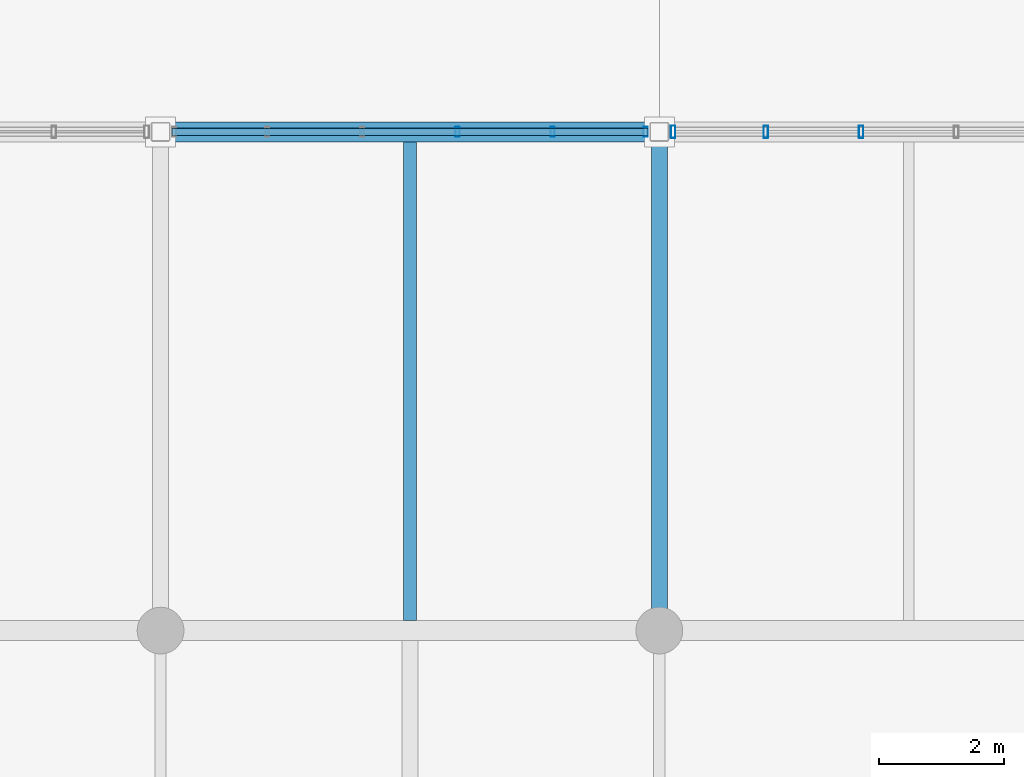
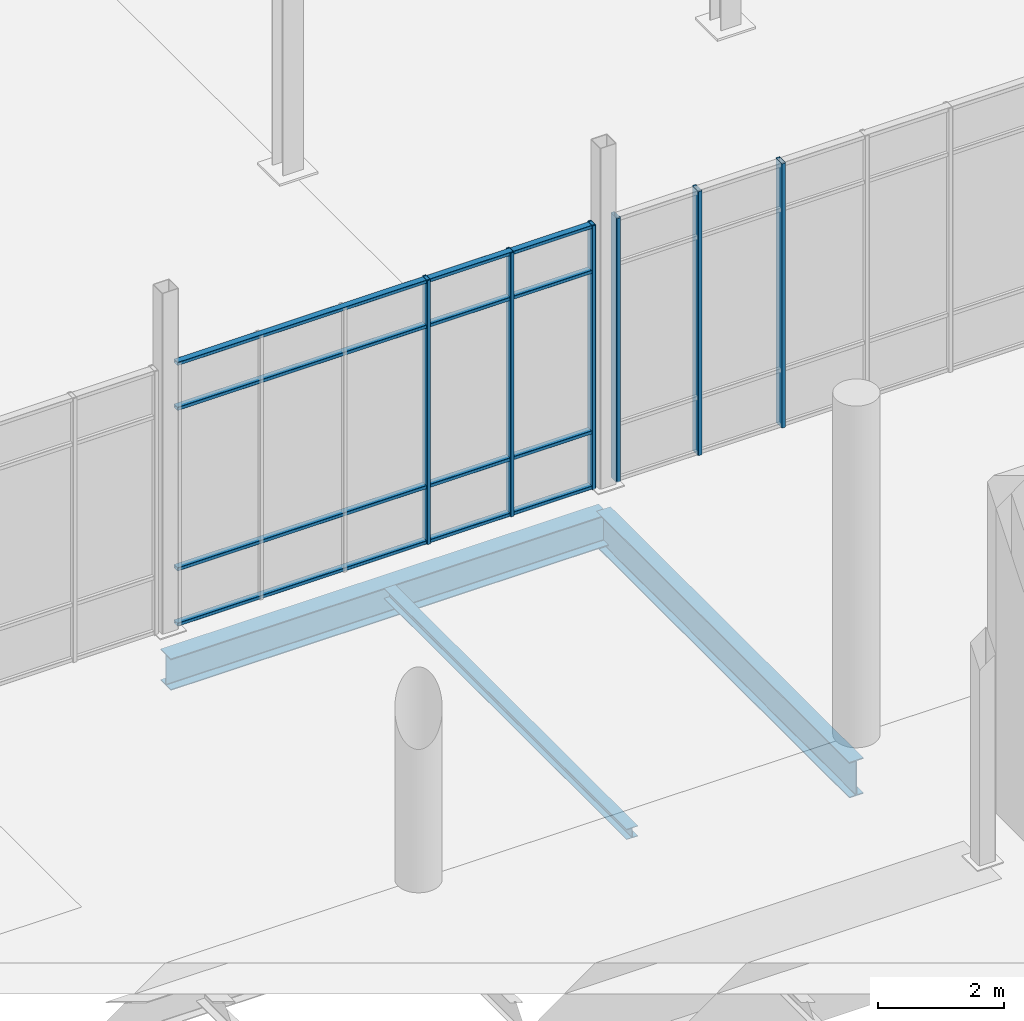
# One storey, part 47 of 140: 10 members, 3 beams, 2 elements without a shape of their own.
"""IFC4 building model written with IfcOpenShell, lengths in metres."""

from ifc_helpers import new_model, si_unit, direction, frame, origin, origin_2d, place, context, subcontext, project, spatial, hollow_rectangle, i_section, extrude, material, material_profile, profile_set, type_object, element, aggregate, save


model = new_model("IFC4")

# Units and contexts
model_context = context("Model", 3, precision=1e-05, world=origin(), true_north=direction((0.0, 1.0)))
body_context = subcontext(model_context, "Body", "Model", "MODEL_VIEW")
ifc_project = project(units=[si_unit("LENGTHUNIT", "METRE"), si_unit("AREAUNIT", "SQUARE_METRE"), si_unit("VOLUMEUNIT", "CUBIC_METRE"), si_unit("PLANEANGLEUNIT", "RADIAN"), si_unit("MASSUNIT", "GRAM", prefix="KILO")], contexts=[model_context])

# Site, building, storey
site_placement = place(None, origin())
site = spatial("IfcSite", under=ifc_project, at=site_placement, CompositionType="ELEMENT")
building_placement = place(site_placement, origin())
building = spatial("IfcBuilding", under=site, at=building_placement, Name="Verrall Gate Interchange", CompositionType="ELEMENT")
storey_placement = place(building_placement, origin())
storey = spatial("IfcBuildingStorey", under=building, at=storey_placement, Name="L01", CompositionType="ELEMENT", Elevation=0.0)

# Beams
ifc_material_1 = material(Name="Structural Steel CSA G40.21 350WT Cat 4", Category="steel")
ifc_material_profile_1 = material_profile(ifc_material_1, i_section(OverallWidth=0.256103515625, OverallDepth=0.693115234375, WebThickness=0.01318359375, FlangeThickness=0.02001953125, FilletRadius=0.01611328125, at=origin_2d()), Name="W690x170")
ifc_profile_set_1 = profile_set([ifc_material_profile_1], Name="Structural Steel CSA G40.21 350WT Cat 4")
beam_type_1 = type_object("IfcBeamType", Name="B-07 Structural Beam W690x170", PredefinedType="BEAM", material=ifc_profile_set_1)
beam_1_placement = place(storey_placement, frame((100.0, 48.0, -0.846435546875), z_axis=(0.0, 1.0, 0.0), x_axis=(-1.0, 0.0, 0.0)))
element("IfcBeam", 1, at=beam_1_placement, inside=storey, type_object=beam_type_1, Name="L01 Girder BM-L01-1167 (B-07)", PredefinedType="BEAM", context=body_context, shape_type="SweptSolid", body=[
    extrude(i_section(OverallWidth=0.256103515625, OverallDepth=0.693115234375, WebThickness=0.01318359375, FlangeThickness=0.02001953125, FilletRadius=0.01611328125, at=origin_2d()), origin(), (0.0, 0.0, 1.0), 8.0),
])
ifc_material_2 = material(Name="Structural Steel CSA G40.21 350WT Cat 4", Category="steel")
ifc_material_profile_2 = material_profile(ifc_material_2, i_section(OverallWidth=0.323974609375, OverallDepth=0.611083984375, WebThickness=0.0126953125, FlangeThickness=0.01904296875, FilletRadius=0.014892578125, at=origin_2d()), Name="W610x155")
ifc_profile_set_2 = profile_set([ifc_material_profile_2], Name="Structural Steel CSA G40.21 350WT Cat 4")
beam_type_2 = type_object("IfcBeamType", Name="B-08 Structural Beam W610x155", PredefinedType="BEAM", material=ifc_profile_set_2)
beam_2_placement = place(storey_placement, frame((92.0, 56.0, -0.805419921875), z_axis=(1.0, 0.0, 0.0), x_axis=(0.0, 1.0, 0.0)))
element("IfcBeam", 2, at=beam_2_placement, inside=storey, type_object=beam_type_2, Name="L01 Girder BM-L01-0946 (B-08)", PredefinedType="BEAM", context=body_context, shape_type="SweptSolid", body=[
    extrude(i_section(OverallWidth=0.323974609375, OverallDepth=0.611083984375, WebThickness=0.0126953125, FlangeThickness=0.01904296875, FilletRadius=0.014892578125, at=origin_2d()), origin(), (0.0, 0.0, 1.0), 8.0),
])

# Curtain wall, members
ifc_material_3 = material(Name="Thermally Broken Anodized Aluminium Curtain Wall Framing", Category="aluminium")
curtain_wall_type = type_object("IfcCurtainWallType", Name="CW-06 Unitized Curtain Wall 7631x5100", PredefinedType="NOTDEFINED", material=ifc_material_3)
curtain_wall_1_placement = place(storey_placement, origin())
curtain_wall_1 = element("IfcCurtainWall", 3, at=curtain_wall_1_placement, inside=storey, type_object=curtain_wall_type, Name="L01 Unitized Curtain Wall CW-L01-016", PredefinedType="NOTDEFINED")
ifc_material_4 = material(Name="Thermally Broken Anodized Aluminium Curtain Wall Framing", Category="aluminium")
ifc_material_profile_3 = material_profile(ifc_material_4, hollow_rectangle(XDim=0.06494140625, YDim=0.159912109375, WallThickness=0.00390625, InnerFilletRadius=0.00390625, OuterFilletRadius=0.008056640625, at=origin_2d()), Name="CWM160x65x4")
ifc_profile_set_3 = profile_set([ifc_material_profile_3], Name="Thermally Broken Anodized Aluminium Curtain Wall Framing")
member_type_1 = type_object("IfcMemberType", Name="CM-01 Curtain Mullion CWM160x65x4", PredefinedType="MULLION", material=ifc_profile_set_3)
member_1_placement = place(storey_placement, frame((99.782958984375, 56.0, 0.0), z_axis=(0.0, 0.0, 1.0), x_axis=(-1.0, 0.0, 0.0)))
member_1 = element("IfcMember", 4, at=member_1_placement, type_object=member_type_1, Name="CW-L01-016 Mullion 1", PredefinedType="MULLION", context=body_context, shape_type="SweptSolid", body=[
    extrude(hollow_rectangle(XDim=0.06494140625, YDim=0.159912109375, WallThickness=0.00390625, InnerFilletRadius=0.00390625, OuterFilletRadius=0.008056640625, at=origin_2d()), origin(), (0.0, 0.0, 1.0), 5.10009765625),
])
member_2_placement = place(storey_placement, frame((98.289306640625, 56.0, 0.0), z_axis=(0.0, 0.0, 1.0), x_axis=(-1.0, 0.0, 0.0)))
member_2 = element("IfcMember", 5, at=member_2_placement, type_object=member_type_1, Name="CW-L01-016 Mullion 2", PredefinedType="MULLION", context=body_context, shape_type="SweptSolid", body=[
    extrude(hollow_rectangle(XDim=0.06494140625, YDim=0.159912109375, WallThickness=0.00390625, InnerFilletRadius=0.00390625, OuterFilletRadius=0.008056640625, at=origin_2d()), origin(), (0.0, 0.0, 1.0), 5.10009765625),
])
member_3_placement = place(storey_placement, frame((96.76318359375, 56.0, 0.0), z_axis=(0.0, 0.0, 1.0), x_axis=(-1.0, 0.0, 0.0)))
member_3 = element("IfcMember", 6, at=member_3_placement, type_object=member_type_1, Name="CW-L01-016 Mullion 3", PredefinedType="MULLION", context=body_context, shape_type="SweptSolid", body=[
    extrude(hollow_rectangle(XDim=0.06494140625, YDim=0.159912109375, WallThickness=0.00390625, InnerFilletRadius=0.00390625, OuterFilletRadius=0.008056640625, at=origin_2d()), origin(), (0.0, 0.0, 1.0), 5.10009765625),
])

curtain_wall_2_placement = place(storey_placement, origin())
curtain_wall_2 = element("IfcCurtainWall", 7, at=curtain_wall_2_placement, inside=storey, type_object=curtain_wall_type, Name="L01 Unitized Curtain Wall CW-L01-015", PredefinedType="NOTDEFINED")
ifc_material_5 = material(Name="Thermally Broken Anodized Aluminium Curtain Wall Framing", Category="aluminium")
ifc_material_profile_4 = material_profile(ifc_material_5, hollow_rectangle(XDim=0.074951171875, YDim=0.199951171875, WallThickness=0.0048828125, InnerFilletRadius=0.0048828125, OuterFilletRadius=0.010009765625, at=origin_2d()), Name="CWM200x75x5")
ifc_profile_set_4 = profile_set([ifc_material_profile_4], Name="Thermally Broken Anodized Aluminium Curtain Wall Framing")
member_type_2 = type_object("IfcMemberType", Name="CM-02 Curtain Mullion CWM200x75x5", PredefinedType="MULLION", material=ifc_profile_set_4)
member_4_placement = place(storey_placement, frame((103.23681640625, 56.0, 0.0), z_axis=(0.0, 0.0, 1.0), x_axis=(-1.0, 0.0, 0.0)))
member_4 = element("IfcMember", 8, at=member_4_placement, type_object=member_type_2, Name="CW-L01-015 Mullion 4", PredefinedType="MULLION", context=body_context, shape_type="SweptSolid", body=[
    extrude(hollow_rectangle(XDim=0.074951171875, YDim=0.199951171875, WallThickness=0.0048828125, InnerFilletRadius=0.0048828125, OuterFilletRadius=0.010009765625, at=origin_2d()), origin(), (0.0, 0.0, 1.0), 5.10009765625),
])
member_5_placement = place(storey_placement, frame((101.710693359375, 56.0, 0.0), z_axis=(0.0, 0.0, 1.0), x_axis=(-1.0, 0.0, 0.0)))
member_5 = element("IfcMember", 9, at=member_5_placement, type_object=member_type_2, Name="CW-L01-015 Mullion 5", PredefinedType="MULLION", context=body_context, shape_type="SweptSolid", body=[
    extrude(hollow_rectangle(XDim=0.074951171875, YDim=0.199951171875, WallThickness=0.0048828125, InnerFilletRadius=0.0048828125, OuterFilletRadius=0.010009765625, at=origin_2d()), origin(), (0.0, 0.0, 1.0), 5.10009765625),
])
member_6_placement = place(storey_placement, frame((100.221923828125, 56.0, 0.0), z_axis=(0.0, 0.0, 1.0), x_axis=(-1.0, 0.0, 0.0)))
member_6 = element("IfcMember", 10, at=member_6_placement, type_object=member_type_2, Name="CW-L01-015 Mullion 6", PredefinedType="MULLION", context=body_context, shape_type="SweptSolid", body=[
    extrude(hollow_rectangle(XDim=0.074951171875, YDim=0.199951171875, WallThickness=0.0048828125, InnerFilletRadius=0.0048828125, OuterFilletRadius=0.010009765625, at=origin_2d()), origin(), (0.0, 0.0, 1.0), 5.10009765625),
])
aggregate(curtain_wall_2, [member_4, member_5, member_6])

# Member
ifc_material_6 = material(Name="Thermally Broken Anodized Aluminium Curtain Wall Framing", Category="aluminium")
ifc_material_profile_5 = material_profile(ifc_material_6, hollow_rectangle(XDim=0.1201171875, YDim=0.06494140625, WallThickness=0.00390625, InnerFilletRadius=0.00390625, OuterFilletRadius=0.008056640625, at=origin_2d()), Name="CWT120x65x4")
ifc_profile_set_5 = profile_set([ifc_material_profile_5], Name="Thermally Broken Anodized Aluminium Curtain Wall Framing")
member_type_3 = type_object("IfcMemberType", Name="CT-01 Curtain Transom CWT120x65x4", PredefinedType="USERDEFINED", material=ifc_profile_set_5)
member_7_placement = place(storey_placement, frame((99.8154296875, 56.0, 0.032470703125), z_axis=(-1.0, 0.0, 0.0), x_axis=(0.0, -1.0, 0.0)))
member_7 = element("IfcMember", 11, at=member_7_placement, type_object=member_type_3, Name="CW-L01-016 Transom 1", ObjectType="TRANSOM", PredefinedType="USERDEFINED", context=body_context, shape_type="SweptSolid", body=[
    extrude(hollow_rectangle(XDim=0.1201171875, YDim=0.06494140625, WallThickness=0.00390625, InnerFilletRadius=0.00390625, OuterFilletRadius=0.008056640625, at=origin_2d()), origin(), (0.0, 0.0, 1.0), 7.630859375),
])

member_8_placement = place(storey_placement, frame((99.8154296875, 56.0, 1.10009765625), z_axis=(-1.0, 0.0, 0.0), x_axis=(0.0, -1.0, 0.0)))
member_8 = element("IfcMember", 12, at=member_8_placement, type_object=member_type_3, Name="CW-L01-016 Transom 2", ObjectType="TRANSOM", PredefinedType="USERDEFINED", context=body_context, shape_type="SweptSolid", body=[
    extrude(hollow_rectangle(XDim=0.1201171875, YDim=0.06494140625, WallThickness=0.00390625, InnerFilletRadius=0.00390625, OuterFilletRadius=0.008056640625, at=origin_2d()), origin(), (0.0, 0.0, 1.0), 7.630859375),
])

member_9_placement = place(storey_placement, frame((99.8154296875, 56.0, 4.199951171875), z_axis=(-1.0, 0.0, 0.0), x_axis=(0.0, -1.0, 0.0)))
member_9 = element("IfcMember", 13, at=member_9_placement, type_object=member_type_3, Name="CW-L01-016 Transom 3", ObjectType="TRANSOM", PredefinedType="USERDEFINED", context=body_context, shape_type="SweptSolid", body=[
    extrude(hollow_rectangle(XDim=0.1201171875, YDim=0.06494140625, WallThickness=0.00390625, InnerFilletRadius=0.00390625, OuterFilletRadius=0.008056640625, at=origin_2d()), origin(), (0.0, 0.0, 1.0), 7.630859375),
])

member_10_placement = place(storey_placement, frame((99.8154296875, 56.0, 5.0673828125), z_axis=(-1.0, 0.0, 0.0), x_axis=(0.0, -1.0, 0.0)))
member_10 = element("IfcMember", 14, at=member_10_placement, type_object=member_type_3, Name="CW-L01-016 Transom 4", ObjectType="TRANSOM", PredefinedType="USERDEFINED", context=body_context, shape_type="SweptSolid", body=[
    extrude(hollow_rectangle(XDim=0.1201171875, YDim=0.06494140625, WallThickness=0.00390625, InnerFilletRadius=0.00390625, OuterFilletRadius=0.008056640625, at=origin_2d()), origin(), (0.0, 0.0, 1.0), 7.630859375),
])

aggregate(curtain_wall_1, [member_1, member_2, member_3, member_7, member_8, member_9, member_10])

# Beam
ifc_material_7 = material(Name="Structural Steel CSA G40.21 350W", Category="steel")
ifc_material_profile_6 = material_profile(ifc_material_7, i_section(OverallWidth=0.202880859375, OverallDepth=0.202880859375, WebThickness=0.007080078125, FlangeThickness=0.010986328125, FilletRadius=0.010009765625, at=origin_2d()), Name="W200x46")
ifc_profile_set_6 = profile_set([ifc_material_profile_6], Name="Structural Steel CSA G40.21 350W")
beam_type_3 = type_object("IfcBeamType", Name="J-07 Floor Joist W200x46", PredefinedType="JOIST", material=ifc_profile_set_6)
beam_3_placement = place(storey_placement, frame((96.0, 48.162109375, -0.6015625), z_axis=(0.0, 1.0, 0.0), x_axis=(-1.0, 0.0, 0.0)))
element("IfcBeam", 15, at=beam_3_placement, inside=storey, type_object=beam_type_3, Name="L01 Secondary Floor Joist JST-L01-1410", PredefinedType="JOIST", context=body_context, shape_type="SweptSolid", body=[
    extrude(i_section(OverallWidth=0.202880859375, OverallDepth=0.202880859375, WebThickness=0.007080078125, FlangeThickness=0.010986328125, FilletRadius=0.010009765625, at=origin_2d()), origin(), (0.0, 0.0, 1.0), 7.67578125),
])

save(model, "model.ifc")
